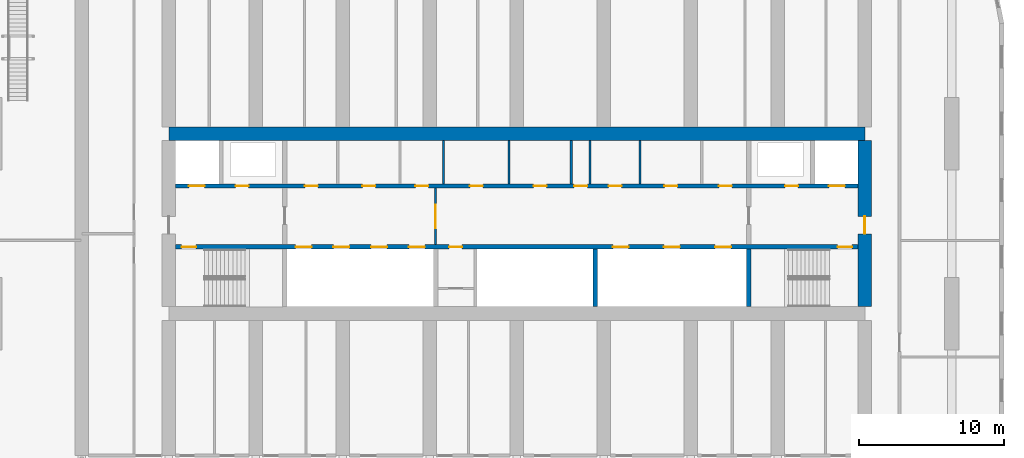
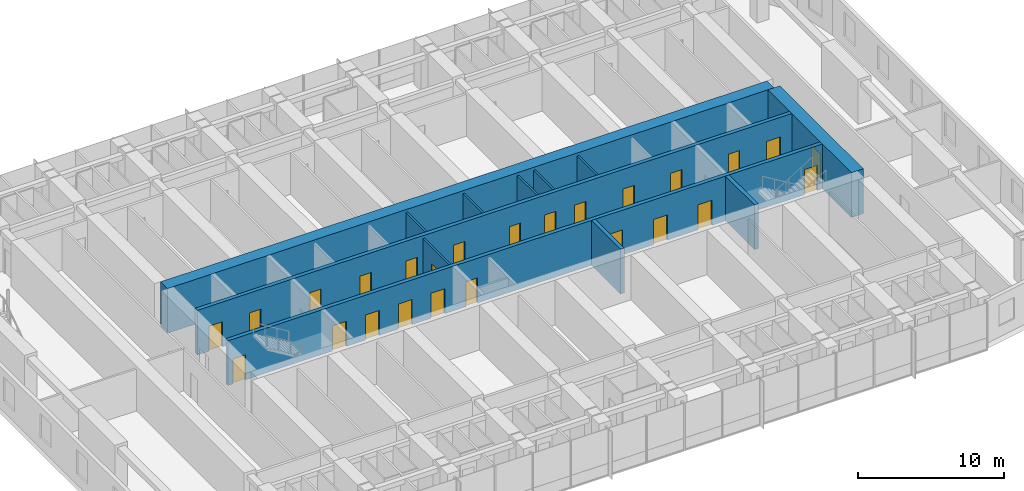
# One storey, part 14 of 26: 25 doors, 12 walls, 25 openings.
"""IFC4 building model written with IfcOpenShell, lengths in metres."""

from ifc_helpers import new_model, si_unit, direction, frame, frame_2d, origin, place, context, subcontext, project, spatial, rectangle, extrude, material, layer, layer_set, type_object, element, fill, save


model = new_model("IFC4")

# Units and contexts
model_context = context("Model", 3, precision=1e-05, world=origin(), true_north=direction((0.0, 1.0)))
body_context = subcontext(model_context, "Body", "Model", "MODEL_VIEW")
ifc_project = project(units=[si_unit("LENGTHUNIT", "METRE"), si_unit("AREAUNIT", "SQUARE_METRE"), si_unit("VOLUMEUNIT", "CUBIC_METRE"), si_unit("PLANEANGLEUNIT", "RADIAN"), si_unit("MASSUNIT", "GRAM", prefix="KILO")], contexts=[model_context])

# Site, building, storey
site_placement = place(None, origin())
site = spatial("IfcSite", under=ifc_project, at=site_placement, CompositionType="ELEMENT")
building_placement = place(site_placement, origin())
building = spatial("IfcBuilding", under=site, at=building_placement, Name="Orbita Commons", CompositionType="ELEMENT")
storey_placement = place(building_placement, frame((0.0, 0.0, 114.39990234375)))
storey = spatial("IfcBuildingStorey", under=building, at=storey_placement, Name="L28", CompositionType="ELEMENT", Elevation=114.39990234375)

# Wall, openings, doors
ifc_material_1 = material(Name="Concrete C50/60", Category="concrete")
ifc_layer_1 = layer(ifc_material_1, 0.300048828125)
ifc_layer_set_1 = layer_set([ifc_layer_1], Name="Concrete C50/60")
wall_type_1 = type_object("IfcWallType", Name="Core inner wall 300 C50/60", PredefinedType="SHEAR", material=ifc_layer_set_1)
wall_1_placement = place(storey_placement, frame((18.47509765625, 30.39990234375, 0.0), z_axis=(0.0, 0.0, 1.0), x_axis=(1.0, 0.0, 0.0)))
wall_1 = element("IfcWall", 1, at=wall_1_placement, inside=storey, type_object=wall_type_1, Name="Lobby wall south L28", PredefinedType="SHEAR", context=body_context, shape_type="SweptSolid", body=[
    extrude(rectangle(XDim=47.0498046875, YDim=0.300048828125, at=frame_2d((23.52490234375, 0.0))), origin(), (0.0, 0.0, 1.0), 3.75),
])
opening_1_placement = place(wall_1_placement, frame((0.39990234375, 0.0, 0.0)))
opening_1 = element("IfcOpeningElement", 2, at=opening_1_placement, cuts=wall_1, Name="Opening D02", PredefinedType="OPENING", context=body_context, shape_type="SweptSolid", body=[
    extrude(rectangle(XDim=1.0, YDim=2.10009765625, at=frame_2d((0.5, 1.050048828125))), frame((0.0, 0.159912109375, 0.0), z_axis=(0.0, -1.0, 0.0), x_axis=(1.0, 0.0, 0.0)), (0.0, 0.0, 1.0), 0.320068359375),
])
opening_2_placement = place(wall_1_placement, frame((45.64990234375, 0.0, 0.0)))
opening_2 = element("IfcOpeningElement", 3, at=opening_2_placement, cuts=wall_1, Name="Opening D02", PredefinedType="OPENING", context=body_context, shape_type="SweptSolid", body=[
    extrude(rectangle(XDim=1.0, YDim=2.10009765625, at=frame_2d((0.5, 1.050048828125))), frame((0.0, 0.159912109375, 0.0), z_axis=(0.0, -1.0, 0.0), x_axis=(1.0, 0.0, 0.0)), (0.0, 0.0, 1.0), 0.320068359375),
])
opening_3_placement = place(wall_1_placement, frame((8.27490234375, 0.0, 0.0)))
opening_3 = element("IfcOpeningElement", 4, at=opening_3_placement, cuts=wall_1, Name="Opening LD02", PredefinedType="OPENING", context=body_context, shape_type="SweptSolid", body=[
    extrude(rectangle(XDim=1.10009765625, YDim=2.10009765625, at=frame_2d((0.550048828125, 1.050048828125))), frame((0.0, 0.159912109375, 0.0), z_axis=(0.0, -1.0, 0.0), x_axis=(1.0, 0.0, 0.0)), (0.0, 0.0, 1.0), 0.320068359375),
])
opening_4_placement = place(wall_1_placement, frame((10.875, 0.0, 0.0)))
opening_4 = element("IfcOpeningElement", 5, at=opening_4_placement, cuts=wall_1, Name="Opening LD02", PredefinedType="OPENING", context=body_context, shape_type="SweptSolid", body=[
    extrude(rectangle(XDim=1.10009765625, YDim=2.10009765625, at=frame_2d((0.550048828125, 1.050048828125))), frame((0.0, 0.159912109375, 0.0), z_axis=(0.0, -1.0, 0.0), x_axis=(1.0, 0.0, 0.0)), (0.0, 0.0, 1.0), 0.320068359375),
])
opening_5_placement = place(wall_1_placement, frame((13.47509765625, 0.0, 0.0)))
opening_5 = element("IfcOpeningElement", 6, at=opening_5_placement, cuts=wall_1, Name="Opening LD02", PredefinedType="OPENING", context=body_context, shape_type="SweptSolid", body=[
    extrude(rectangle(XDim=1.10009765625, YDim=2.10009765625, at=frame_2d((0.550048828125, 1.050048828125))), frame((0.0, 0.159912109375, 0.0), z_axis=(0.0, -1.0, 0.0), x_axis=(1.0, 0.0, 0.0)), (0.0, 0.0, 1.0), 0.320068359375),
])
opening_6_placement = place(wall_1_placement, frame((16.074951171875, 0.0, 0.0)))
opening_6 = element("IfcOpeningElement", 7, at=opening_6_placement, cuts=wall_1, Name="Opening LD02", PredefinedType="OPENING", context=body_context, shape_type="SweptSolid", body=[
    extrude(rectangle(XDim=1.10009765625, YDim=2.10009765625, at=frame_2d((0.550048828125, 1.050048828125))), frame((0.0, 0.159912109375, 0.0), z_axis=(0.0, -1.0, 0.0), x_axis=(1.0, 0.0, 0.0)), (0.0, 0.0, 1.0), 0.320068359375),
])
opening_7_placement = place(wall_1_placement, frame((18.85009765625, 0.0, 0.0)))
opening_7 = element("IfcOpeningElement", 8, at=opening_7_placement, cuts=wall_1, Name="Opening D05", PredefinedType="OPENING", context=body_context, shape_type="SweptSolid", body=[
    extrude(rectangle(XDim=0.89990234375, YDim=2.10009765625, at=frame_2d((0.449951171875, 1.050048828125))), frame((0.0, 0.159912109375, 0.0), z_axis=(0.0, -1.0, 0.0), x_axis=(1.0, 0.0, 0.0)), (0.0, 0.0, 1.0), 0.320068359375),
])
opening_8_placement = place(wall_1_placement, frame((30.1416015625, 0.0, 0.0)))
opening_8 = element("IfcOpeningElement", 9, at=opening_8_placement, cuts=wall_1, Name="Opening LD02", PredefinedType="OPENING", context=body_context, shape_type="SweptSolid", body=[
    extrude(rectangle(XDim=1.10009765625, YDim=2.10009765625, at=frame_2d((0.550048828125, 1.050048828125))), frame((0.0, 0.159912109375, 0.0), z_axis=(0.0, -1.0, 0.0), x_axis=(1.0, 0.0, 0.0)), (0.0, 0.0, 1.0), 0.320068359375),
])
opening_9_placement = place(wall_1_placement, frame((33.675048828125, 0.0, 0.0)))
opening_9 = element("IfcOpeningElement", 10, at=opening_9_placement, cuts=wall_1, Name="Opening LD02", PredefinedType="OPENING", context=body_context, shape_type="SweptSolid", body=[
    extrude(rectangle(XDim=1.10009765625, YDim=2.10009765625, at=frame_2d((0.550048828125, 1.050048828125))), frame((0.0, 0.159912109375, 0.0), z_axis=(0.0, -1.0, 0.0), x_axis=(1.0, 0.0, 0.0)), (0.0, 0.0, 1.0), 0.320068359375),
])
opening_10_placement = place(wall_1_placement, frame((37.208251953125, 0.0, 0.0)))
opening_10 = element("IfcOpeningElement", 11, at=opening_10_placement, cuts=wall_1, Name="Opening LD02", PredefinedType="OPENING", context=body_context, shape_type="SweptSolid", body=[
    extrude(rectangle(XDim=1.10009765625, YDim=2.10009765625, at=frame_2d((0.550048828125, 1.050048828125))), frame((0.0, 0.159912109375, 0.0), z_axis=(0.0, -1.0, 0.0), x_axis=(1.0, 0.0, 0.0)), (0.0, 0.0, 1.0), 0.320068359375),
])
ifc_material_2 = material(Name="Steel-faced fire door leaf", Category="steel")
door_type_1 = type_object("IfcDoorType", Name="Fire door 90 min 1000x2100", OperationType="SINGLE_SWING_LEFT", PredefinedType="DOOR", material=ifc_material_2)
door_1_placement = place(opening_1_placement, origin())
door_1 = element("IfcDoor", 12, at=door_1_placement, inside=storey, type_object=door_type_1, Name="Stair S1 door", OperationType="SINGLE_SWING_LEFT", OverallHeight=2.10009765625, OverallWidth=1.0, PredefinedType="DOOR", context=body_context, shape_type="SweptSolid", body=[
    extrude(rectangle(XDim=1.0, YDim=2.10009765625, at=frame_2d((0.5, 1.050048828125))), frame((0.0, 0.02490234375, 0.0), z_axis=(0.0, -1.0, 0.0), x_axis=(1.0, 0.0, 0.0)), (0.0, 0.0, 1.0), 0.050048828125),
])
fill(opening_1, door_1)
door_2_placement = place(opening_2_placement, origin())
door_2 = element("IfcDoor", 13, at=door_2_placement, inside=storey, type_object=door_type_1, Name="Stair S2 door", OperationType="SINGLE_SWING_LEFT", OverallHeight=2.10009765625, OverallWidth=1.0, PredefinedType="DOOR", context=body_context, shape_type="SweptSolid", body=[
    extrude(rectangle(XDim=1.0, YDim=2.10009765625, at=frame_2d((0.5, 1.050048828125))), frame((0.0, 0.02490234375, 0.0), z_axis=(0.0, -1.0, 0.0), x_axis=(1.0, 0.0, 0.0)), (0.0, 0.0, 1.0), 0.050048828125),
])
fill(opening_2, door_2)
ifc_material_3 = material(Name="Steel-faced fire door leaf", Category="steel")
door_type_2 = type_object("IfcDoorType", Name="Lift landing door 1100x2100", OperationType="DOUBLE_DOOR_SLIDING", PredefinedType="DOOR", material=ifc_material_3)
door_3_placement = place(opening_3_placement, origin())
door_3 = element("IfcDoor", 14, at=door_3_placement, inside=storey, type_object=door_type_2, Name="Lift P21 landing door", OperationType="DOUBLE_DOOR_SLIDING", OverallHeight=2.10009765625, OverallWidth=1.10009765625, PredefinedType="DOOR", context=body_context, shape_type="SweptSolid", body=[
    extrude(rectangle(XDim=1.10009765625, YDim=2.10009765625, at=frame_2d((0.550048828125, 1.050048828125))), frame((0.0, 0.02490234375, 0.0), z_axis=(0.0, -1.0, 0.0), x_axis=(1.0, 0.0, 0.0)), (0.0, 0.0, 1.0), 0.050048828125),
])
fill(opening_3, door_3)
door_4_placement = place(opening_4_placement, origin())
door_4 = element("IfcDoor", 15, at=door_4_placement, inside=storey, type_object=door_type_2, Name="Lift P22 landing door", OperationType="DOUBLE_DOOR_SLIDING", OverallHeight=2.10009765625, OverallWidth=1.10009765625, PredefinedType="DOOR", context=body_context, shape_type="SweptSolid", body=[
    extrude(rectangle(XDim=1.10009765625, YDim=2.10009765625, at=frame_2d((0.550048828125, 1.050048828125))), frame((0.0, 0.02490234375, 0.0), z_axis=(0.0, -1.0, 0.0), x_axis=(1.0, 0.0, 0.0)), (0.0, 0.0, 1.0), 0.050048828125),
])
fill(opening_4, door_4)
door_5_placement = place(opening_5_placement, origin())
door_5 = element("IfcDoor", 16, at=door_5_placement, inside=storey, type_object=door_type_2, Name="Lift P23 landing door", OperationType="DOUBLE_DOOR_SLIDING", OverallHeight=2.10009765625, OverallWidth=1.10009765625, PredefinedType="DOOR", context=body_context, shape_type="SweptSolid", body=[
    extrude(rectangle(XDim=1.10009765625, YDim=2.10009765625, at=frame_2d((0.550048828125, 1.050048828125))), frame((0.0, 0.02490234375, 0.0), z_axis=(0.0, -1.0, 0.0), x_axis=(1.0, 0.0, 0.0)), (0.0, 0.0, 1.0), 0.050048828125),
])
fill(opening_5, door_5)
door_6_placement = place(opening_6_placement, origin())
door_6 = element("IfcDoor", 17, at=door_6_placement, inside=storey, type_object=door_type_2, Name="Lift P24 landing door", OperationType="DOUBLE_DOOR_SLIDING", OverallHeight=2.10009765625, OverallWidth=1.10009765625, PredefinedType="DOOR", context=body_context, shape_type="SweptSolid", body=[
    extrude(rectangle(XDim=1.10009765625, YDim=2.10009765625, at=frame_2d((0.550048828125, 1.050048828125))), frame((0.0, 0.02490234375, 0.0), z_axis=(0.0, -1.0, 0.0), x_axis=(1.0, 0.0, 0.0)), (0.0, 0.0, 1.0), 0.050048828125),
])
fill(opening_6, door_6)
door_7_placement = place(opening_8_placement, origin())
door_7 = element("IfcDoor", 18, at=door_7_placement, inside=storey, type_object=door_type_2, Name="Lift SV1 landing door", OperationType="DOUBLE_DOOR_SLIDING", OverallHeight=2.10009765625, OverallWidth=1.10009765625, PredefinedType="DOOR", context=body_context, shape_type="SweptSolid", body=[
    extrude(rectangle(XDim=1.10009765625, YDim=2.10009765625, at=frame_2d((0.550048828125, 1.050048828125))), frame((0.0, 0.02490234375, 0.0), z_axis=(0.0, -1.0, 0.0), x_axis=(1.0, 0.0, 0.0)), (0.0, 0.0, 1.0), 0.050048828125),
])
fill(opening_8, door_7)
door_8_placement = place(opening_9_placement, origin())
door_8 = element("IfcDoor", 19, at=door_8_placement, inside=storey, type_object=door_type_2, Name="Lift SV2 landing door", OperationType="DOUBLE_DOOR_SLIDING", OverallHeight=2.10009765625, OverallWidth=1.10009765625, PredefinedType="DOOR", context=body_context, shape_type="SweptSolid", body=[
    extrude(rectangle(XDim=1.10009765625, YDim=2.10009765625, at=frame_2d((0.550048828125, 1.050048828125))), frame((0.0, 0.02490234375, 0.0), z_axis=(0.0, -1.0, 0.0), x_axis=(1.0, 0.0, 0.0)), (0.0, 0.0, 1.0), 0.050048828125),
])
fill(opening_9, door_8)
door_9_placement = place(opening_10_placement, origin())
door_9 = element("IfcDoor", 20, at=door_9_placement, inside=storey, type_object=door_type_2, Name="Lift SV3 landing door", OperationType="DOUBLE_DOOR_SLIDING", OverallHeight=2.10009765625, OverallWidth=1.10009765625, PredefinedType="DOOR", context=body_context, shape_type="SweptSolid", body=[
    extrude(rectangle(XDim=1.10009765625, YDim=2.10009765625, at=frame_2d((0.550048828125, 1.050048828125))), frame((0.0, 0.02490234375, 0.0), z_axis=(0.0, -1.0, 0.0), x_axis=(1.0, 0.0, 0.0)), (0.0, 0.0, 1.0), 0.050048828125),
])
fill(opening_10, door_9)
ifc_material_4 = material(Name="Steel-faced fire door leaf", Category="steel")
door_type_3 = type_object("IfcDoorType", Name="Service door 20 min 900x2100", OperationType="SINGLE_SWING_LEFT", PredefinedType="DOOR", material=ifc_material_4)
door_10_placement = place(opening_7_placement, origin())
door_10 = element("IfcDoor", 21, at=door_10_placement, inside=storey, type_object=door_type_3, Name="Equipment store door", OperationType="SINGLE_SWING_LEFT", OverallHeight=2.10009765625, OverallWidth=0.89990234375, PredefinedType="DOOR", context=body_context, shape_type="SweptSolid", body=[
    extrude(rectangle(XDim=0.89990234375, YDim=2.10009765625, at=frame_2d((0.449951171875, 1.050048828125))), frame((0.0, 0.02490234375, 0.0), z_axis=(0.0, -1.0, 0.0), x_axis=(1.0, 0.0, 0.0)), (0.0, 0.0, 1.0), 0.050048828125),
])
fill(opening_7, door_10)

wall_2_placement = place(storey_placement, frame((18.47509765625, 34.60009765625, 0.0), z_axis=(0.0, 0.0, 1.0), x_axis=(1.0, 0.0, 0.0)))
wall_2 = element("IfcWall", 22, at=wall_2_placement, inside=storey, type_object=wall_type_1, Name="Lobby wall north L28", PredefinedType="SHEAR", context=body_context, shape_type="SweptSolid", body=[
    extrude(rectangle(XDim=47.0498046875, YDim=0.300048828125, at=frame_2d((23.52490234375, 0.0))), origin(), (0.0, 0.0, 1.0), 3.75),
])
opening_11_placement = place(wall_2_placement, frame((0.89990234375, 0.0, 0.0)))
opening_11 = element("IfcOpeningElement", 23, at=opening_11_placement, cuts=wall_2, Name="Opening LD01", PredefinedType="OPENING", context=body_context, shape_type="SweptSolid", body=[
    extrude(rectangle(XDim=1.10009765625, YDim=2.10009765625, at=frame_2d((0.550048828125, 1.050048828125))), frame((0.0, 0.159912109375, 0.0), z_axis=(0.0, -1.0, 0.0), x_axis=(1.0, 0.0, 0.0)), (0.0, 0.0, 1.0), 0.320068359375),
])
opening_12_placement = place(wall_2_placement, frame((45.050048828125, 0.0, 0.0)))
opening_12 = element("IfcOpeningElement", 24, at=opening_12_placement, cuts=wall_2, Name="Opening LD01", PredefinedType="OPENING", context=body_context, shape_type="SweptSolid", body=[
    extrude(rectangle(XDim=1.10009765625, YDim=2.10009765625, at=frame_2d((0.550048828125, 1.050048828125))), frame((0.0, 0.159912109375, 0.0), z_axis=(0.0, -1.0, 0.0), x_axis=(1.0, 0.0, 0.0)), (0.0, 0.0, 1.0), 0.320068359375),
])
opening_13_placement = place(wall_2_placement, frame((4.125, 0.0, 0.0)))
opening_13 = element("IfcOpeningElement", 25, at=opening_13_placement, cuts=wall_2, Name="Opening D03", PredefinedType="OPENING", context=body_context, shape_type="SweptSolid", body=[
    extrude(rectangle(XDim=0.89990234375, YDim=2.10009765625, at=frame_2d((0.449951171875, 1.050048828125))), frame((0.0, 0.159912109375, 0.0), z_axis=(0.0, -1.0, 0.0), x_axis=(1.0, 0.0, 0.0)), (0.0, 0.0, 1.0), 0.320068359375),
])
opening_14_placement = place(wall_2_placement, frame((42.02490234375, 0.0, 0.0)))
opening_14 = element("IfcOpeningElement", 26, at=opening_14_placement, cuts=wall_2, Name="Opening D03", PredefinedType="OPENING", context=body_context, shape_type="SweptSolid", body=[
    extrude(rectangle(XDim=0.89990234375, YDim=2.10009765625, at=frame_2d((0.449951171875, 1.050048828125))), frame((0.0, 0.159912109375, 0.0), z_axis=(0.0, -1.0, 0.0), x_axis=(1.0, 0.0, 0.0)), (0.0, 0.0, 1.0), 0.320068359375),
])
opening_15_placement = place(wall_2_placement, frame((8.900390625, 0.0, 0.0)))
opening_15 = element("IfcOpeningElement", 27, at=opening_15_placement, cuts=wall_2, Name="Opening D05", PredefinedType="OPENING", context=body_context, shape_type="SweptSolid", body=[
    extrude(rectangle(XDim=0.89990234375, YDim=2.10009765625, at=frame_2d((0.449951171875, 1.050048828125))), frame((0.0, 0.159912109375, 0.0), z_axis=(0.0, -1.0, 0.0), x_axis=(1.0, 0.0, 0.0)), (0.0, 0.0, 1.0), 0.320068359375),
])
opening_16_placement = place(wall_2_placement, frame((12.873779296875, 0.0, 0.0)))
opening_16 = element("IfcOpeningElement", 28, at=opening_16_placement, cuts=wall_2, Name="Opening D03", PredefinedType="OPENING", context=body_context, shape_type="SweptSolid", body=[
    extrude(rectangle(XDim=0.89990234375, YDim=2.10009765625, at=frame_2d((0.449951171875, 1.050048828125))), frame((0.0, 0.159912109375, 0.0), z_axis=(0.0, -1.0, 0.0), x_axis=(1.0, 0.0, 0.0)), (0.0, 0.0, 1.0), 0.320068359375),
])
opening_17_placement = place(wall_2_placement, frame((16.521240234375, 0.0, 0.0)))
opening_17 = element("IfcOpeningElement", 29, at=opening_17_placement, cuts=wall_2, Name="Opening D03", PredefinedType="OPENING", context=body_context, shape_type="SweptSolid", body=[
    extrude(rectangle(XDim=0.89990234375, YDim=2.10009765625, at=frame_2d((0.449951171875, 1.050048828125))), frame((0.0, 0.159912109375, 0.0), z_axis=(0.0, -1.0, 0.0), x_axis=(1.0, 0.0, 0.0)), (0.0, 0.0, 1.0), 0.320068359375),
])
opening_18_placement = place(wall_2_placement, frame((20.27978515625, 0.0, 0.0)))
opening_18 = element("IfcOpeningElement", 30, at=opening_18_placement, cuts=wall_2, Name="Opening D03", PredefinedType="OPENING", context=body_context, shape_type="SweptSolid", body=[
    extrude(rectangle(XDim=0.89990234375, YDim=2.10009765625, at=frame_2d((0.449951171875, 1.050048828125))), frame((0.0, 0.159912109375, 0.0), z_axis=(0.0, -1.0, 0.0), x_axis=(1.0, 0.0, 0.0)), (0.0, 0.0, 1.0), 0.320068359375),
])
opening_19_placement = place(wall_2_placement, frame((24.685791015625, 0.0, 0.0)))
opening_19 = element("IfcOpeningElement", 31, at=opening_19_placement, cuts=wall_2, Name="Opening D03", PredefinedType="OPENING", context=body_context, shape_type="SweptSolid", body=[
    extrude(rectangle(XDim=0.89990234375, YDim=2.10009765625, at=frame_2d((0.449951171875, 1.050048828125))), frame((0.0, 0.159912109375, 0.0), z_axis=(0.0, -1.0, 0.0), x_axis=(1.0, 0.0, 0.0)), (0.0, 0.0, 1.0), 0.320068359375),
])
opening_20_placement = place(wall_2_placement, frame((27.4833984375, 0.0, 0.0)))
opening_20 = element("IfcOpeningElement", 32, at=opening_20_placement, cuts=wall_2, Name="Opening D03", PredefinedType="OPENING", context=body_context, shape_type="SweptSolid", body=[
    extrude(rectangle(XDim=0.89990234375, YDim=2.10009765625, at=frame_2d((0.449951171875, 1.050048828125))), frame((0.0, 0.159912109375, 0.0), z_axis=(0.0, -1.0, 0.0), x_axis=(1.0, 0.0, 0.0)), (0.0, 0.0, 1.0), 0.320068359375),
])
opening_21_placement = place(wall_2_placement, frame((29.855712890625, 0.0, 0.0)))
opening_21 = element("IfcOpeningElement", 33, at=opening_21_placement, cuts=wall_2, Name="Opening D03", PredefinedType="OPENING", context=body_context, shape_type="SweptSolid", body=[
    extrude(rectangle(XDim=0.89990234375, YDim=2.10009765625, at=frame_2d((0.449951171875, 1.050048828125))), frame((0.0, 0.159912109375, 0.0), z_axis=(0.0, -1.0, 0.0), x_axis=(1.0, 0.0, 0.0)), (0.0, 0.0, 1.0), 0.320068359375),
])
opening_22_placement = place(wall_2_placement, frame((33.70556640625, 0.0, 0.0)))
opening_22 = element("IfcOpeningElement", 34, at=opening_22_placement, cuts=wall_2, Name="Opening D05", PredefinedType="OPENING", context=body_context, shape_type="SweptSolid", body=[
    extrude(rectangle(XDim=0.89990234375, YDim=2.10009765625, at=frame_2d((0.449951171875, 1.050048828125))), frame((0.0, 0.159912109375, 0.0), z_axis=(0.0, -1.0, 0.0), x_axis=(1.0, 0.0, 0.0)), (0.0, 0.0, 1.0), 0.320068359375),
])
opening_23_placement = place(wall_2_placement, frame((37.4541015625, 0.0, 0.0)))
opening_23 = element("IfcOpeningElement", 35, at=opening_23_placement, cuts=wall_2, Name="Opening D03", PredefinedType="OPENING", context=body_context, shape_type="SweptSolid", body=[
    extrude(rectangle(XDim=0.89990234375, YDim=2.10009765625, at=frame_2d((0.449951171875, 1.050048828125))), frame((0.0, 0.159912109375, 0.0), z_axis=(0.0, -1.0, 0.0), x_axis=(1.0, 0.0, 0.0)), (0.0, 0.0, 1.0), 0.320068359375),
])
ifc_material_5 = material(Name="Steel-faced fire door leaf", Category="steel")
door_type_4 = type_object("IfcDoorType", Name="Firefighting lift landing door 1100x2100", OperationType="DOUBLE_DOOR_SLIDING", PredefinedType="DOOR", material=ifc_material_5)
door_11_placement = place(opening_11_placement, origin())
door_11 = element("IfcDoor", 36, at=door_11_placement, inside=storey, type_object=door_type_4, Name="Firefighting lift FL1 landing door", OperationType="DOUBLE_DOOR_SLIDING", OverallHeight=2.10009765625, OverallWidth=1.10009765625, PredefinedType="DOOR", context=body_context, shape_type="SweptSolid", body=[
    extrude(rectangle(XDim=1.10009765625, YDim=2.10009765625, at=frame_2d((0.550048828125, 1.050048828125))), frame((0.0, 0.02490234375, 0.0), z_axis=(0.0, -1.0, 0.0), x_axis=(1.0, 0.0, 0.0)), (0.0, 0.0, 1.0), 0.050048828125),
])
fill(opening_11, door_11)
door_12_placement = place(opening_12_placement, origin())
door_12 = element("IfcDoor", 37, at=door_12_placement, inside=storey, type_object=door_type_4, Name="Firefighting lift FL2 landing door", OperationType="DOUBLE_DOOR_SLIDING", OverallHeight=2.10009765625, OverallWidth=1.10009765625, PredefinedType="DOOR", context=body_context, shape_type="SweptSolid", body=[
    extrude(rectangle(XDim=1.10009765625, YDim=2.10009765625, at=frame_2d((0.550048828125, 1.050048828125))), frame((0.0, 0.02490234375, 0.0), z_axis=(0.0, -1.0, 0.0), x_axis=(1.0, 0.0, 0.0)), (0.0, 0.0, 1.0), 0.050048828125),
])
fill(opening_12, door_12)
door_13_placement = place(opening_15_placement, origin())
door_13 = element("IfcDoor", 38, at=door_13_placement, inside=storey, type_object=door_type_3, Name="Accessible WC door", OperationType="SINGLE_SWING_LEFT", OverallHeight=2.10009765625, OverallWidth=0.89990234375, PredefinedType="DOOR", context=body_context, shape_type="SweptSolid", body=[
    extrude(rectangle(XDim=0.89990234375, YDim=2.10009765625, at=frame_2d((0.449951171875, 1.050048828125))), frame((0.0, 0.02490234375, 0.0), z_axis=(0.0, -1.0, 0.0), x_axis=(1.0, 0.0, 0.0)), (0.0, 0.0, 1.0), 0.050048828125),
])
fill(opening_15, door_13)
door_14_placement = place(opening_22_placement, origin())
door_14 = element("IfcDoor", 39, at=door_14_placement, inside=storey, type_object=door_type_3, Name="Guest pantry door", OperationType="SINGLE_SWING_LEFT", OverallHeight=2.10009765625, OverallWidth=0.89990234375, PredefinedType="DOOR", context=body_context, shape_type="SweptSolid", body=[
    extrude(rectangle(XDim=0.89990234375, YDim=2.10009765625, at=frame_2d((0.449951171875, 1.050048828125))), frame((0.0, 0.02490234375, 0.0), z_axis=(0.0, -1.0, 0.0), x_axis=(1.0, 0.0, 0.0)), (0.0, 0.0, 1.0), 0.050048828125),
])
fill(opening_22, door_14)
ifc_material_6 = material(Name="Steel-faced fire door leaf", Category="steel")
door_type_5 = type_object("IfcDoorType", Name="Shaft access door 90 min 900x2100", OperationType="SINGLE_SWING_LEFT", PredefinedType="DOOR", material=ifc_material_6)
door_15_placement = place(opening_13_placement, origin())
door_15 = element("IfcDoor", 40, at=door_15_placement, inside=storey, type_object=door_type_5, Name="Riser door west", OperationType="SINGLE_SWING_LEFT", OverallHeight=2.10009765625, OverallWidth=0.89990234375, PredefinedType="DOOR", context=body_context, shape_type="SweptSolid", body=[
    extrude(rectangle(XDim=0.89990234375, YDim=2.10009765625, at=frame_2d((0.449951171875, 1.050048828125))), frame((0.0, 0.02490234375, 0.0), z_axis=(0.0, -1.0, 0.0), x_axis=(1.0, 0.0, 0.0)), (0.0, 0.0, 1.0), 0.050048828125),
])
fill(opening_13, door_15)
door_16_placement = place(opening_14_placement, origin())
door_16 = element("IfcDoor", 41, at=door_16_placement, inside=storey, type_object=door_type_5, Name="Riser door east", OperationType="SINGLE_SWING_LEFT", OverallHeight=2.10009765625, OverallWidth=0.89990234375, PredefinedType="DOOR", context=body_context, shape_type="SweptSolid", body=[
    extrude(rectangle(XDim=0.89990234375, YDim=2.10009765625, at=frame_2d((0.449951171875, 1.050048828125))), frame((0.0, 0.02490234375, 0.0), z_axis=(0.0, -1.0, 0.0), x_axis=(1.0, 0.0, 0.0)), (0.0, 0.0, 1.0), 0.050048828125),
])
fill(opening_14, door_16)
door_17_placement = place(opening_16_placement, origin())
door_17 = element("IfcDoor", 42, at=door_17_placement, inside=storey, type_object=door_type_5, Name="Refuse chute room door", OperationType="SINGLE_SWING_LEFT", OverallHeight=2.10009765625, OverallWidth=0.89990234375, PredefinedType="DOOR", context=body_context, shape_type="SweptSolid", body=[
    extrude(rectangle(XDim=0.89990234375, YDim=2.10009765625, at=frame_2d((0.449951171875, 1.050048828125))), frame((0.0, 0.02490234375, 0.0), z_axis=(0.0, -1.0, 0.0), x_axis=(1.0, 0.0, 0.0)), (0.0, 0.0, 1.0), 0.050048828125),
])
fill(opening_16, door_17)
door_18_placement = place(opening_17_placement, origin())
door_18 = element("IfcDoor", 43, at=door_18_placement, inside=storey, type_object=door_type_5, Name="Electrical riser room door", OperationType="SINGLE_SWING_LEFT", OverallHeight=2.10009765625, OverallWidth=0.89990234375, PredefinedType="DOOR", context=body_context, shape_type="SweptSolid", body=[
    extrude(rectangle(XDim=0.89990234375, YDim=2.10009765625, at=frame_2d((0.449951171875, 1.050048828125))), frame((0.0, 0.02490234375, 0.0), z_axis=(0.0, -1.0, 0.0), x_axis=(1.0, 0.0, 0.0)), (0.0, 0.0, 1.0), 0.050048828125),
])
fill(opening_17, door_18)
door_19_placement = place(opening_18_placement, origin())
door_19 = element("IfcDoor", 44, at=door_19_placement, inside=storey, type_object=door_type_5, Name="Storage room door", OperationType="SINGLE_SWING_LEFT", OverallHeight=2.10009765625, OverallWidth=0.89990234375, PredefinedType="DOOR", context=body_context, shape_type="SweptSolid", body=[
    extrude(rectangle(XDim=0.89990234375, YDim=2.10009765625, at=frame_2d((0.449951171875, 1.050048828125))), frame((0.0, 0.02490234375, 0.0), z_axis=(0.0, -1.0, 0.0), x_axis=(1.0, 0.0, 0.0)), (0.0, 0.0, 1.0), 0.050048828125),
])
fill(opening_18, door_19)
door_20_placement = place(opening_19_placement, origin())
door_20 = element("IfcDoor", 45, at=door_20_placement, inside=storey, type_object=door_type_5, Name="Communications room door", OperationType="SINGLE_SWING_LEFT", OverallHeight=2.10009765625, OverallWidth=0.89990234375, PredefinedType="DOOR", context=body_context, shape_type="SweptSolid", body=[
    extrude(rectangle(XDim=0.89990234375, YDim=2.10009765625, at=frame_2d((0.449951171875, 1.050048828125))), frame((0.0, 0.02490234375, 0.0), z_axis=(0.0, -1.0, 0.0), x_axis=(1.0, 0.0, 0.0)), (0.0, 0.0, 1.0), 0.050048828125),
])
fill(opening_19, door_20)
door_21_placement = place(opening_20_placement, origin())
door_21 = element("IfcDoor", 46, at=door_21_placement, inside=storey, type_object=door_type_5, Name="Stair pressurisation duct door", OperationType="SINGLE_SWING_LEFT", OverallHeight=2.10009765625, OverallWidth=0.89990234375, PredefinedType="DOOR", context=body_context, shape_type="SweptSolid", body=[
    extrude(rectangle(XDim=0.89990234375, YDim=2.10009765625, at=frame_2d((0.449951171875, 1.050048828125))), frame((0.0, 0.02490234375, 0.0), z_axis=(0.0, -1.0, 0.0), x_axis=(1.0, 0.0, 0.0)), (0.0, 0.0, 1.0), 0.050048828125),
])
fill(opening_20, door_21)
door_22_placement = place(opening_21_placement, origin())
door_22 = element("IfcDoor", 47, at=door_22_placement, inside=storey, type_object=door_type_5, Name="IT room door", OperationType="SINGLE_SWING_LEFT", OverallHeight=2.10009765625, OverallWidth=0.89990234375, PredefinedType="DOOR", context=body_context, shape_type="SweptSolid", body=[
    extrude(rectangle(XDim=0.89990234375, YDim=2.10009765625, at=frame_2d((0.449951171875, 1.050048828125))), frame((0.0, 0.02490234375, 0.0), z_axis=(0.0, -1.0, 0.0), x_axis=(1.0, 0.0, 0.0)), (0.0, 0.0, 1.0), 0.050048828125),
])
fill(opening_21, door_22)
door_23_placement = place(opening_23_placement, origin())
door_23 = element("IfcDoor", 48, at=door_23_placement, inside=storey, type_object=door_type_5, Name="Cleaners store door", OperationType="SINGLE_SWING_LEFT", OverallHeight=2.10009765625, OverallWidth=0.89990234375, PredefinedType="DOOR", context=body_context, shape_type="SweptSolid", body=[
    extrude(rectangle(XDim=0.89990234375, YDim=2.10009765625, at=frame_2d((0.449951171875, 1.050048828125))), frame((0.0, 0.02490234375, 0.0), z_axis=(0.0, -1.0, 0.0), x_axis=(1.0, 0.0, 0.0)), (0.0, 0.0, 1.0), 0.050048828125),
])
fill(opening_23, door_23)

# Walls
for number, where, z_axis, x_axis, name in (
    (49, (58.0, 26.27490234375, 0.0), (0.0, 0.0, 1.0), (0.0, 1.0, 0.0), "Stair S2 wall L28"),
    (50, (47.39990234375, 26.27490234375, 0.0), (0.0, 0.0, 1.0), (0.0, 1.0, 0.0), "Hoistway division wall L28"),
):
    element("IfcWall", number, at=place(storey_placement, frame(where, z_axis=z_axis, x_axis=x_axis)), inside=storey, type_object=wall_type_1, Name=name, PredefinedType="SHEAR", context=body_context, shape_type="SweptSolid", body=[
        extrude(rectangle(XDim=3.97509765625, YDim=0.300048828125, at=frame_2d((1.987548828125, 0.0))), origin(), (0.0, 0.0, 1.0), 3.75),
    ])

# Wall, opening, door
ifc_material_7 = material(Name="Concrete blockwork", Category="masonry")
ifc_layer_2 = layer(ifc_material_7, 0.14990234375)
ifc_layer_set_2 = layer_set([ifc_layer_2], Name="Concrete blockwork")
wall_type_2 = type_object("IfcWallType", Name="Core partition 150 blockwork", PredefinedType="SOLIDWALL", material=ifc_layer_set_2)
wall_3_placement = place(storey_placement, frame((36.39990234375, 30.550048828125, 0.0), z_axis=(0.0, 0.0, 1.0), x_axis=(0.0, 1.0, 0.0)))
wall_3 = element("IfcWall", 51, at=wall_3_placement, inside=storey, type_object=wall_type_2, Name="Core partition 150 blockwork L28", PredefinedType="SOLIDWALL", context=body_context, shape_type="SweptSolid", body=[
    extrude(rectangle(XDim=3.89990234375, YDim=0.14990234375, at=frame_2d((1.949951171875, 0.0))), origin(), (0.0, 0.0, 1.0), 3.5),
])
opening_24_placement = place(wall_3_placement, frame((1.14990234375, 0.0, 0.0)))
opening_24 = element("IfcOpeningElement", 52, at=opening_24_placement, cuts=wall_3, Name="Opening D10", PredefinedType="OPENING", context=body_context, shape_type="SweptSolid", body=[
    extrude(rectangle(XDim=1.60009765625, YDim=2.10009765625, at=frame_2d((0.800048828125, 1.050048828125))), frame((0.0, 0.0849609375, 0.0), z_axis=(0.0, -1.0, 0.0), x_axis=(1.0, 0.0, 0.0)), (0.0, 0.0, 1.0), 0.169921875),
])
ifc_material_8 = material(Name="Steel-faced fire door leaf", Category="steel")
door_type_6 = type_object("IfcDoorType", Name="Double corridor door 20 min 1600x2100", OperationType="DOUBLE_DOOR_SINGLE_SWING", PredefinedType="DOOR", material=ifc_material_8)
door_24_placement = place(opening_24_placement, origin())
door_24 = element("IfcDoor", 53, at=door_24_placement, inside=storey, type_object=door_type_6, Name="Lift lobby screen doors", OperationType="DOUBLE_DOOR_SINGLE_SWING", OverallHeight=2.10009765625, OverallWidth=1.60009765625, PredefinedType="DOOR", context=body_context, shape_type="SweptSolid", body=[
    extrude(rectangle(XDim=1.60009765625, YDim=2.10009765625, at=frame_2d((0.800048828125, 1.050048828125))), frame((0.0, 0.02490234375, 0.0), z_axis=(0.0, -1.0, 0.0), x_axis=(1.0, 0.0, 0.0)), (0.0, 0.0, 1.0), 0.050048828125),
])
fill(opening_24, door_24)

# Walls
for number, where, z_axis, x_axis, name in (
    (54, (36.9462890625, 34.75, 0.0), (0.0, 0.0, 1.0), (0.0, 1.0, 0.0), "Core partition 150 blockwork L28"),
    (55, (41.463134765625, 34.75, 0.0), (0.0, 0.0, 1.0), (0.0, 1.0, 0.0), "Core partition 150 blockwork L28"),
    (56, (45.75830078125, 34.75, 0.0), (0.0, 0.0, 1.0), (0.0, 1.0, 0.0), "Core partition 150 blockwork L28"),
    (57, (47.058349609375, 34.75, 0.0), (0.0, 0.0, 1.0), (0.0, 1.0, 0.0), "Core partition 150 blockwork L28"),
    (58, (50.5029296875, 34.75, 0.0), (0.0, 0.0, 1.0), (0.0, 1.0, 0.0), "Core partition 150 blockwork L28"),
):
    element("IfcWall", number, at=place(storey_placement, frame(where, z_axis=z_axis, x_axis=x_axis)), inside=storey, type_object=wall_type_2, Name=name, PredefinedType="SOLIDWALL", context=body_context, shape_type="SweptSolid", body=[
        extrude(rectangle(XDim=2.97509765625, YDim=0.14990234375, at=frame_2d((1.487548828125, 0.0))), origin(), (0.0, 0.0, 1.0), 3.5),
    ])
ifc_material_9 = material(Name="Concrete C50/60", Category="concrete")
ifc_layer_3 = layer(ifc_material_9, 0.949951171875)
ifc_layer_set_3 = layer_set([ifc_layer_3], Name="Concrete C50/60")
wall_type_3 = type_object("IfcWallType", Name="Core wall 950 C50/60", PredefinedType="SHEAR", material=ifc_layer_set_3)
wall_4_placement = place(storey_placement, frame((18.0, 38.199951171875, 0.0), z_axis=(0.0, 0.0, 1.0), x_axis=(1.0, 0.0, 0.0)))
element("IfcWall", 59, at=wall_4_placement, inside=storey, type_object=wall_type_3, Name="Core spine wall north L28", PredefinedType="SHEAR", context=body_context, shape_type="SweptSolid", body=[
    extrude(rectangle(XDim=48.0, YDim=0.949951171875, at=frame_2d((24.0, 0.0))), origin(), (0.0, 0.0, 1.0), 3.75),
])

# Wall, opening, door
wall_5_placement = place(storey_placement, frame((66.0, 26.27490234375, 0.0), z_axis=(0.0, 0.0, 1.0), x_axis=(0.0, 1.0, 0.0)))
wall_5 = element("IfcWall", 60, at=wall_5_placement, inside=storey, type_object=wall_type_3, Name="Core end wall east L28", PredefinedType="SHEAR", context=body_context, shape_type="SweptSolid", body=[
    extrude(rectangle(XDim=11.4501953125, YDim=0.949951171875, at=frame_2d((5.72509765625, 0.0))), origin(), (0.0, 0.0, 1.0), 3.75),
])
opening_25_placement = place(wall_5_placement, frame((5.02490234375, 0.0, 0.0)))
opening_25 = element("IfcOpeningElement", 61, at=opening_25_placement, cuts=wall_5, Name="Opening D01", PredefinedType="OPENING", context=body_context, shape_type="SweptSolid", body=[
    extrude(rectangle(XDim=1.199951171875, YDim=2.10009765625, at=frame_2d((0.60009765625, 1.050048828125))), frame((0.0, 0.48486328125, 0.0), z_axis=(0.0, -1.0, 0.0), x_axis=(1.0, 0.0, 0.0)), (0.0, 0.0, 1.0), 0.969970703125),
])
ifc_material_10 = material(Name="Steel-faced fire door leaf", Category="steel")
door_type_7 = type_object("IfcDoorType", Name="Fire door 90 min 1200x2100", OperationType="SINGLE_SWING_LEFT", PredefinedType="DOOR", material=ifc_material_10)
door_25_placement = place(opening_25_placement, origin())
door_25 = element("IfcDoor", 62, at=door_25_placement, inside=storey, type_object=door_type_7, Name="Firefighting lobby east door", OperationType="SINGLE_SWING_LEFT", OverallHeight=2.10009765625, OverallWidth=1.199951171875, PredefinedType="DOOR", context=body_context, shape_type="SweptSolid", body=[
    extrude(rectangle(XDim=1.199951171875, YDim=2.10009765625, at=frame_2d((0.60009765625, 1.050048828125))), frame((0.0, 0.02490234375, 0.0), z_axis=(0.0, -1.0, 0.0), x_axis=(1.0, 0.0, 0.0)), (0.0, 0.0, 1.0), 0.050048828125),
])
fill(opening_25, door_25)

save(model, "model.ifc")
